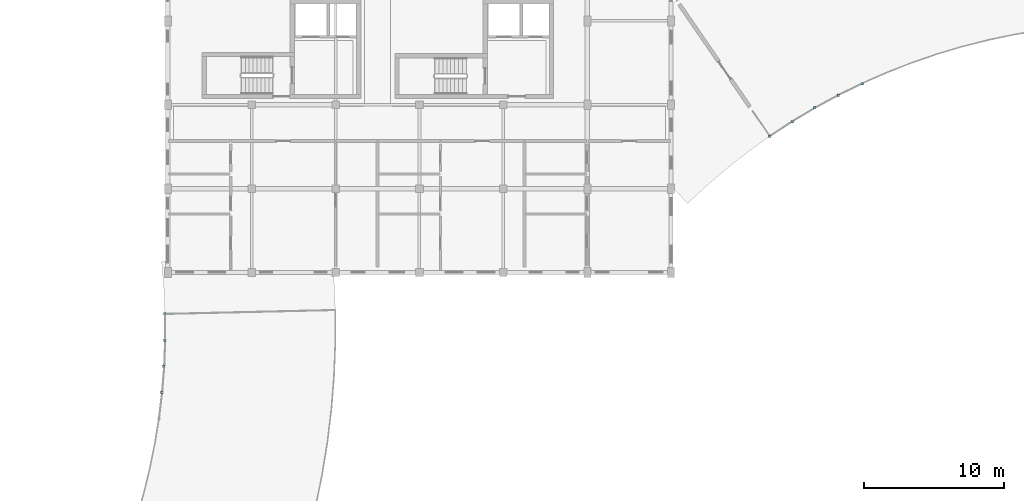
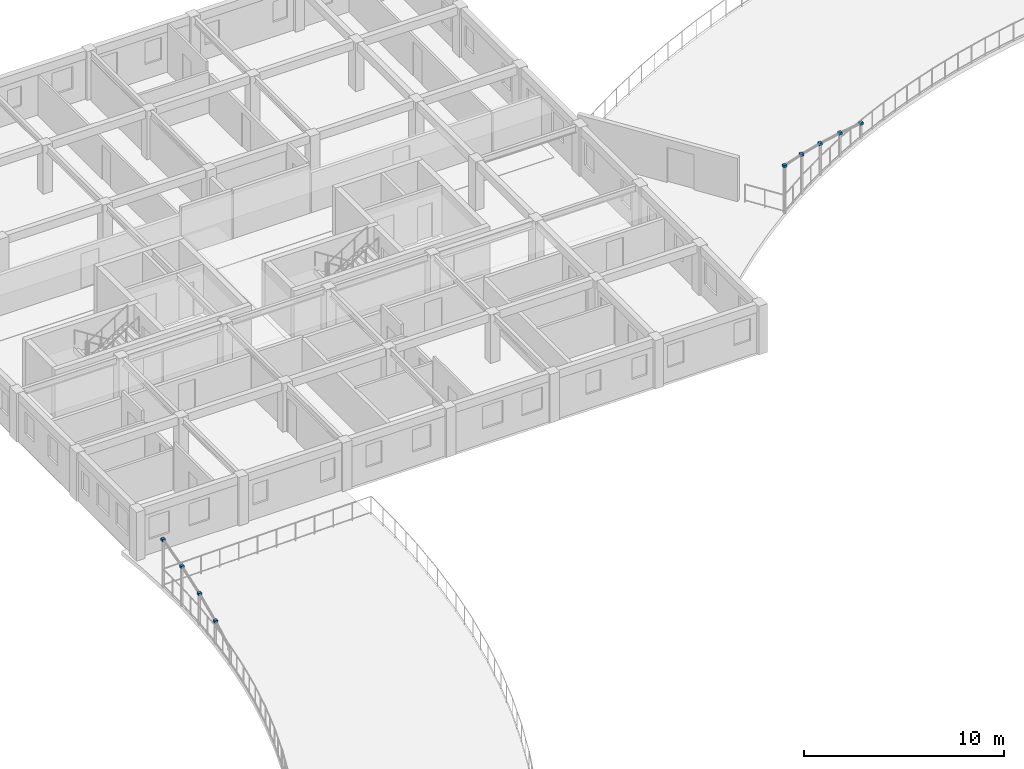
# One storey, part 47 of 58: 9 discrete accessories.
"""IFC4 building model written with IfcOpenShell, lengths in metres."""

from ifc_helpers import new_model, si_unit, direction, frame, origin, origin_2d, place, context, subcontext, project, spatial, rectangle, extrude, material, type_object, element, save


model = new_model("IFC4")

# Units and contexts
model_context = context("Model", 3, precision=1e-05, world=origin(), true_north=direction((0.0, 1.0)))
body_context = subcontext(model_context, "Body", "Model", "MODEL_VIEW")
ifc_project = project(units=[si_unit("LENGTHUNIT", "METRE"), si_unit("AREAUNIT", "SQUARE_METRE"), si_unit("VOLUMEUNIT", "CUBIC_METRE"), si_unit("PLANEANGLEUNIT", "RADIAN"), si_unit("MASSUNIT", "GRAM", prefix="KILO"), si_unit("POWERUNIT", "WATT"), si_unit("THERMODYNAMICTEMPERATUREUNIT", "KELVIN")], contexts=[model_context])

# Site, building, storey
site_placement = place(None, origin())
site = spatial("IfcSite", under=ifc_project, at=site_placement, CompositionType="ELEMENT")
building_placement = place(site_placement, origin())
building = spatial("IfcBuilding", under=site, at=building_placement, Name="Ruvembo Vaulted Housing Court", CompositionType="ELEMENT")
storey_placement = place(building_placement, frame((0.0, 0.0, 20.5)))
storey = spatial("IfcBuildingStorey", under=building, at=storey_placement, Name="L06", CompositionType="ELEMENT", Elevation=20.5)

# Discrete accessories
ifc_material = material(Name="Steel S355J2", Category="steel")
discrete_accessory_type = type_object("IfcDiscreteAccessoryType", Name="ACC-STL-NODE", PredefinedType="BRACKET", material=ifc_material)
for number, where, z_axis, x_axis, name in (
    (1, (47.5703125, 69.419921875, 1.330078125), (0.0, 0.0, 1.0), (1.0, 0.0, 0.0), "Scoop SC1 Crest Strut End Connector 16A"),
    (2, (47.7197265625, 71.290771484375, 1.830078125), (0.0, 0.0, 1.0), (1.0, 0.0, 0.0), "Scoop SC1 Crest Strut End Connector 17A"),
    (3, (47.79248046875, 73.166015625, 2.330078125), (0.0, 0.0, 1.0), (1.0, 0.0, 0.0), "Scoop SC1 Crest Strut End Connector 18A"),
    (4, (47.7880859375, 75.04248046875, 2.830078125), (0.0, 0.0, 1.0), (1.0, 0.0, 0.0), "Scoop SC1 Crest Strut End Connector 18B"),
    (5, (91.0673828125, 87.751220703125, 2.830078125), (0.0, 0.0, 1.0), (1.0, 0.0, 0.0), "Scoop SC3 Crest Strut End Connector 0A"),
    (6, (92.656494140625, 88.794677734375, 2.330078125), (0.0, 0.0, 1.0), (1.0, 0.0, 0.0), "Scoop SC3 Crest Strut End Connector 1A"),
    (7, (94.287353515625, 89.771484375, 1.830078125), (0.0, 0.0, 1.0), (1.0, 0.0, 0.0), "Scoop SC3 Crest Strut End Connector 2A"),
    (8, (95.95751953125, 90.6796875, 1.330078125), (0.0, 0.0, 1.0), (1.0, 0.0, 0.0), "Scoop SC3 Crest Strut End Connector 3A"),
    (9, (97.663818359375, 91.51806640625, 0.830078125), (0.0, 0.0, 1.0), (1.0, 0.0, 0.0), "Scoop SC3 Crest Strut End Connector 3B"),
):
    element("IfcDiscreteAccessory", number, at=place(storey_placement, frame(where, z_axis=z_axis, x_axis=x_axis)), inside=storey, type_object=discrete_accessory_type, Name=name, PredefinedType="BRACKET", context=body_context, shape_type="SweptSolid", body=[
        extrude(rectangle(XDim=0.179931640625, YDim=0.179931640625, at=origin_2d()), origin(), (0.0, 0.0, 1.0), 0.139892578125),
    ])

save(model, "model.ifc")
